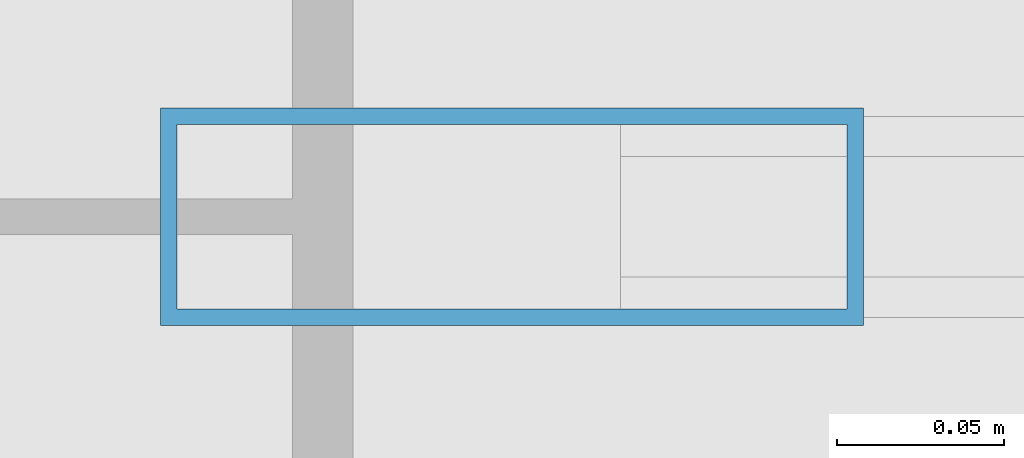
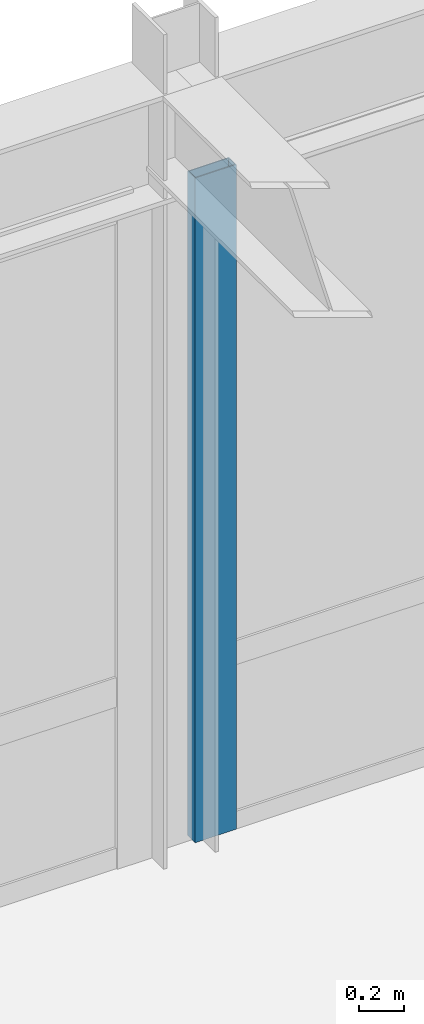
# One storey, part 63 of 127: 1 member, 1 element without a shape of its own.
"""IFC4 building model written with IfcOpenShell, lengths in metres."""

from ifc_helpers import new_model, si_unit, direction, frame, origin, origin_2d, place, context, subcontext, project, spatial, hollow_rectangle, extrude, material, layer, layer_set, material_profile, profile_set, type_object, element, aggregate, save


model = new_model("IFC4")

# Units and contexts
model_context = context("Model", 3, precision=1e-05, world=origin(), true_north=direction((0.0, 1.0)))
body_context = subcontext(model_context, "Body", "Model", "MODEL_VIEW")
ifc_project = project(units=[si_unit("LENGTHUNIT", "METRE"), si_unit("AREAUNIT", "SQUARE_METRE"), si_unit("VOLUMEUNIT", "CUBIC_METRE"), si_unit("PLANEANGLEUNIT", "RADIAN"), si_unit("MASSUNIT", "GRAM", prefix="KILO")], contexts=[model_context])

# Site, building, storey
site_placement = place(None, origin())
site = spatial("IfcSite", under=ifc_project, at=site_placement, CompositionType="ELEMENT")
building_placement = place(site_placement, origin())
building = spatial("IfcBuilding", under=site, at=building_placement, Name="Montelvaro Courts of Justice", CompositionType="ELEMENT")
storey_placement = place(building_placement, frame((0.0, 0.0, 5.39990234375)))
storey = spatial("IfcBuildingStorey", under=building, at=storey_placement, Name="L01", CompositionType="ELEMENT", Elevation=5.39990234375)

# Curtain wall, member
ifc_material = material(Name="Anodised aluminium EN AW-6063", Category="aluminium")
ifc_layer = layer(ifc_material, 0.159912109375)
ifc_layer_set = layer_set([ifc_layer], Name="Anodised aluminium EN AW-6063")
curtain_wall_type = type_object("IfcCurtainWallType", Name="CurtainWall_18_868x418", PredefinedType="USERDEFINED", material=ifc_layer_set)
curtain_wall_placement = place(storey_placement, origin())
curtain_wall = element("IfcCurtainWall", 1, at=curtain_wall_placement, inside=storey, type_object=curtain_wall_type, Name="Curtain Wall CW-18 (L01)", ObjectType="CURTAIN WALL", PredefinedType="USERDEFINED")
ifc_material_profile = material_profile(ifc_material, hollow_rectangle(XDim=0.06494140625, YDim=0.2099609375, WallThickness=0.0048828125, at=origin_2d()), Name="ALU-M 65x210")
ifc_profile_set = profile_set([ifc_material_profile], Name="Anodised aluminium EN AW-6063")
member_type = type_object("IfcMemberType", Name="CurtainWall_Mullion_65x210", PredefinedType="MULLION", material=ifc_profile_set)
member_placement = place(storey_placement, frame((63.1875, 108.0, 0.0), z_axis=(0.0, 0.0, 1.0), x_axis=(0.0, -1.0, 0.0)))
member = element("IfcMember", 2, at=member_placement, type_object=member_type, Name="CW-18 mullion 4", PredefinedType="MULLION", context=body_context, shape_type="SweptSolid", body=[
    extrude(hollow_rectangle(XDim=0.06494140625, YDim=0.2099609375, WallThickness=0.0048828125, at=origin_2d()), origin(), (0.0, 0.0, 1.0), 3.585205078125),
])
aggregate(curtain_wall, [member])

save(model, "model.ifc")
